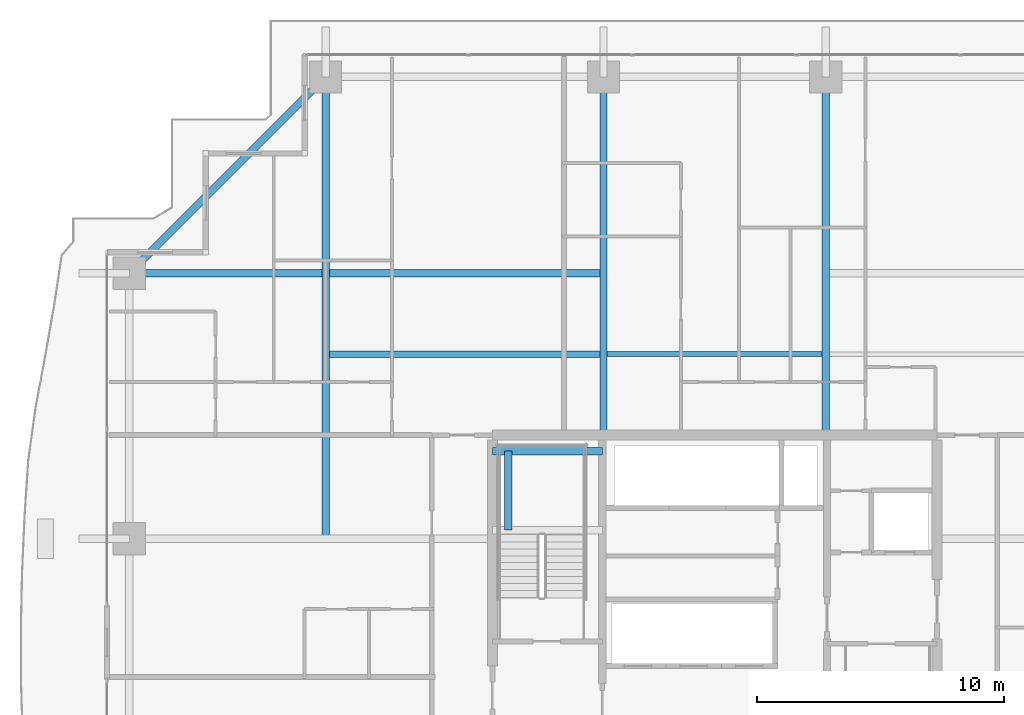
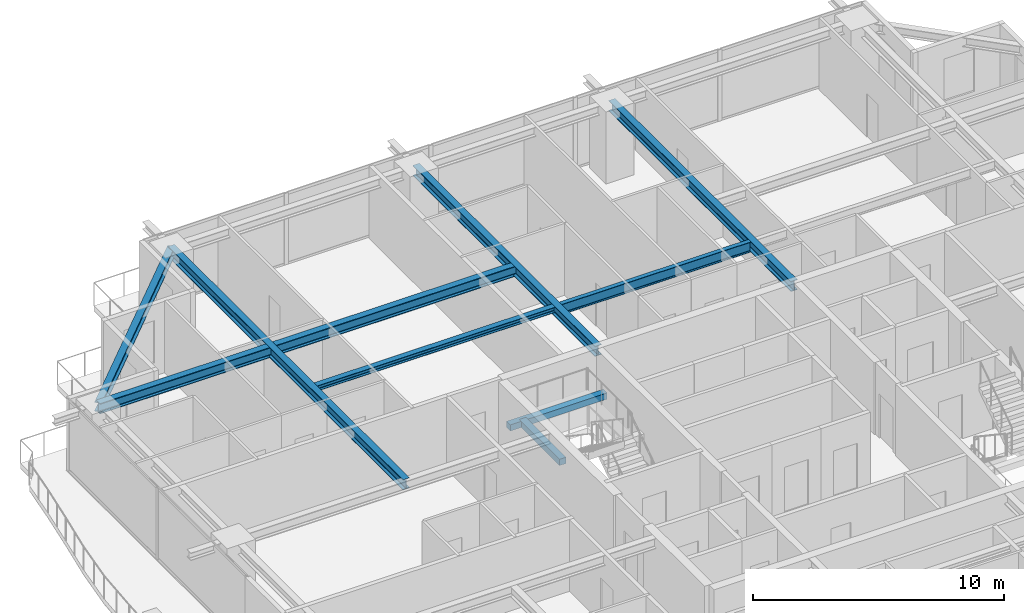
# One storey, part 17 of 35: 9 beams.
"""IFC4 building model written with IfcOpenShell, lengths in metres."""

from ifc_helpers import new_model, si_unit, direction, frame, origin, origin_2d, place, context, subcontext, project, spatial, rectangle, i_section, extrude, source, transform, mapped, material, material_profile, profile_set, type_object, element, save


model = new_model("IFC4")

# Units and contexts
model_context = context("Model", 3, precision=1e-05, world=origin(), true_north=direction((0.0, 1.0)))
body_context = subcontext(model_context, "Body", "Model", "MODEL_VIEW")
ifc_project = project(units=[si_unit("LENGTHUNIT", "METRE"), si_unit("AREAUNIT", "SQUARE_METRE"), si_unit("VOLUMEUNIT", "CUBIC_METRE"), si_unit("PLANEANGLEUNIT", "RADIAN"), si_unit("MASSUNIT", "GRAM", prefix="KILO")], contexts=[model_context])

# Site, building, storey
site_placement = place(None, origin())
site = spatial("IfcSite", under=ifc_project, at=site_placement, CompositionType="ELEMENT")
building_placement = place(site_placement, origin())
building = spatial("IfcBuilding", under=site, at=building_placement, Name="Serunith Strait Residences", CompositionType="ELEMENT")
storey_placement = place(building_placement, frame((0.0, 0.0, 172.64990234375)))
storey = spatial("IfcBuildingStorey", under=building, at=storey_placement, Name="L43", CompositionType="ELEMENT", Elevation=172.64990234375)

# Beams
ifc_material_1 = material(Name="Steel S355J2", Category="steel")
ifc_material_profile_1 = material_profile(ifc_material_1, i_section(OverallWidth=0.199951171875, OverallDepth=0.5, WebThickness=0.01025390625, FlangeThickness=0.01611328125, FilletRadius=0.02099609375, at=origin_2d()), Name="IPE 500")
ifc_profile_set_1 = profile_set([ifc_material_profile_1], Name="Steel S355J2")
beam_type_1 = type_object("IfcBeamType", Name="BM-IPE500", PredefinedType="JOIST", material=ifc_profile_set_1)
shared_shape_1 = source(origin(), body_context, "Body", "SweptSolid", [
    extrude(i_section(OverallWidth=0.199951171875, OverallDepth=0.5, WebThickness=0.01025390625, FlangeThickness=0.01611328125, FilletRadius=0.02099609375, at=origin_2d()), origin(), (0.0, 0.0, 1.0), 8.699951171875),
])
beam_1_placement = place(storey_placement, frame((28.050048828125, 36.875, 3.237060546875), z_axis=(1.0, 0.0, 0.0), x_axis=(0.0, 1.0, 0.0)))
element("IfcBeam", 1, at=beam_1_placement, inside=storey, type_object=beam_type_1, Name="L43 Composite Floor Joist 05", PredefinedType="JOIST", context=body_context, shape_type="MappedRepresentation", body=[
    mapped(shared_shape_1, transform((0.0, 0.0, 0.0), scale=1.0)),
])
ifc_material_profile_2 = material_profile(ifc_material_1, i_section(OverallWidth=0.300048828125, OverallDepth=0.5, WebThickness=0.014404296875, FlangeThickness=0.028076171875, FilletRadius=0.027099609375, at=origin_2d()), Name="HEB 500")
ifc_profile_set_2 = profile_set([ifc_material_profile_2], Name="Steel S355J2")
beam_type_2 = type_object("IfcBeamType", Name="BM-HEB500", PredefinedType="BEAM", material=ifc_profile_set_2)
shared_shape_2 = source(origin(), body_context, "Body", "SweptSolid", [
    extrude(i_section(OverallWidth=0.300048828125, OverallDepth=0.5, WebThickness=0.014404296875, FlangeThickness=0.028076171875, FilletRadius=0.027099609375, at=origin_2d()), origin(), (0.0, 0.0, 1.0), 14.5),
])
for number, where, z_axis, x_axis, name in (
    (2, (27.89990234375, 33.60009765625, 3.237060546875), (0.0, 1.0, 0.0), (-1.0, 0.0, 0.0), "L43 Primary Floor Girder TC-N2"),
    (3, (36.89990234375, 33.60009765625, 3.237060546875), (0.0, 1.0, 0.0), (-1.0, 0.0, 0.0), "L43 Primary Floor Girder TC-N3"),
):
    element("IfcBeam", number, at=place(storey_placement, frame(where, z_axis=z_axis, x_axis=x_axis)), inside=storey, type_object=beam_type_2, Name=name, PredefinedType="BEAM", context=body_context, shape_type="MappedRepresentation", body=[
        mapped(shared_shape_2, transform((0.0, 0.0, 0.0), scale=1.0)),
    ])
shared_shape_3 = source(origin(), body_context, "Body", "SweptSolid", [
    extrude(i_section(OverallWidth=0.300048828125, OverallDepth=0.5, WebThickness=0.014404296875, FlangeThickness=0.028076171875, FilletRadius=0.027099609375, at=origin_2d()), origin(), (0.0, 0.0, 1.0), 18.7001953125),
])
beam_2_placement = place(storey_placement, frame((16.64990234375, 29.39990234375, 3.237060546875), z_axis=(0.0, 1.0, 0.0), x_axis=(-1.0, 0.0, 0.0)))
element("IfcBeam", 4, at=beam_2_placement, inside=storey, type_object=beam_type_2, Name="L43 Orthogonal Corner Girder TC-N1", PredefinedType="BEAM", context=body_context, shape_type="MappedRepresentation", body=[
    mapped(shared_shape_3, transform((0.0, 0.0, 0.0), scale=1.0)),
])
shared_shape_4 = source(origin(), body_context, "Body", "SweptSolid", [
    extrude(i_section(OverallWidth=0.300048828125, OverallDepth=0.5, WebThickness=0.014404296875, FlangeThickness=0.028076171875, FilletRadius=0.027099609375, at=origin_2d()), origin(), (0.0, 0.0, 1.0), 19.199951171875),
])
beam_3_placement = place(storey_placement, frame((27.89990234375, 40.14990234375, 3.237060546875), z_axis=(-1.0, 0.0, 0.0), x_axis=(0.0, -1.0, 0.0)))
element("IfcBeam", 5, at=beam_3_placement, inside=storey, type_object=beam_type_2, Name="L43 Orthogonal Corner Girder TC-W4", PredefinedType="BEAM", context=body_context, shape_type="MappedRepresentation", body=[
    mapped(shared_shape_4, transform((0.0, 0.0, 0.0), scale=1.0)),
])
ifc_material_profile_3 = material_profile(ifc_material_1, i_section(OverallWidth=0.300048828125, OverallDepth=0.449951171875, WebThickness=0.013916015625, FlangeThickness=0.02587890625, FilletRadius=0.027099609375, at=origin_2d()), Name="HEB 450")
ifc_profile_set_3 = profile_set([ifc_material_profile_3], Name="Steel S355J2")
beam_type_3 = type_object("IfcBeamType", Name="BM-HEB450", PredefinedType="BEAM", material=ifc_profile_set_3)
shared_shape_5 = source(origin(), body_context, "Body", "SweptSolid", [
    extrude(i_section(OverallWidth=0.300048828125, OverallDepth=0.449951171875, WebThickness=0.013916015625, FlangeThickness=0.02587890625, FilletRadius=0.027099609375, at=origin_2d()), origin(), (0.0, 0.0, 1.0), 11.2431640625),
])
beam_4_placement = place(storey_placement, frame((16.64990234375, 48.10009765625, 3.232177734375), z_axis=(-0.707095923751, -0.707117638455, 0.0), x_axis=(0.707117638455, -0.707095923751, 0.0)))
element("IfcBeam", 6, at=beam_4_placement, inside=storey, type_object=beam_type_3, Name="L43 Perimeter Ring Beam 12", PredefinedType="BEAM", context=body_context, shape_type="MappedRepresentation", body=[
    mapped(shared_shape_5, transform((0.0, 0.0, 0.0), scale=1.0)),
])
ifc_material_profile_4 = material_profile(ifc_material_1, i_section(OverallWidth=0.260009765625, OverallDepth=0.260009765625, WebThickness=0.010009765625, FlangeThickness=0.017578125, FilletRadius=0.02392578125, at=origin_2d()), Name="HEB 260")
ifc_profile_set_4 = profile_set([ifc_material_profile_4], Name="Steel S355J2")
beam_type_4 = type_object("IfcBeamType", Name="BM-HEB260", PredefinedType="JOIST", material=ifc_profile_set_4)
shared_shape_6 = source(origin(), body_context, "Body", "SweptSolid", [
    extrude(i_section(OverallWidth=0.260009765625, OverallDepth=0.260009765625, WebThickness=0.010009765625, FlangeThickness=0.017578125, FilletRadius=0.02392578125, at=origin_2d()), origin(), (0.0, 0.0, 1.0), 10.949951171875),
])
beam_5_placement = place(storey_placement, frame((16.800048828125, 36.875, 3.357177734375), z_axis=(1.0, 0.0, 0.0), x_axis=(0.0, 1.0, 0.0)))
element("IfcBeam", 7, at=beam_5_placement, inside=storey, type_object=beam_type_4, Name="L43 Composite Floor Joist 04", PredefinedType="JOIST", context=body_context, shape_type="MappedRepresentation", body=[
    mapped(shared_shape_6, transform((0.0, 0.0, 0.0), scale=1.0)),
])
ifc_material_2 = material(Name="Concrete C60/75", Category="concrete")
ifc_material_profile_5 = material_profile(ifc_material_2, rectangle(XDim=0.300048828125, YDim=0.300048828125, at=origin_2d()), Name="RC 300x300")
ifc_profile_set_5 = profile_set([ifc_material_profile_5], Name="Concrete C60/75")
beam_type_5 = type_object("IfcBeamType", Name="BM-LAND-300x300", PredefinedType="BEAM", material=ifc_profile_set_5)
shared_shape_7 = source(origin(), body_context, "Body", "SweptSolid", [
    extrude(rectangle(XDim=0.300048828125, YDim=0.300048828125, at=origin_2d()), origin(), (0.0, 0.0, 1.0), 4.4501953125),
])
beam_6_placement = place(storey_placement, frame((23.39990234375, 32.949951171875, 1.525146484375), z_axis=(1.0, 0.0, 0.0), x_axis=(0.0, 1.0, 0.0)))
element("IfcBeam", 8, at=beam_6_placement, inside=storey, type_object=beam_type_5, Name="L43 ST-1 Landing Support Beam 2", PredefinedType="BEAM", context=body_context, shape_type="MappedRepresentation", body=[
    mapped(shared_shape_7, transform((0.0, 0.0, 0.0), scale=1.0)),
])
shared_shape_8 = source(origin(), body_context, "Body", "SweptSolid", [
    extrude(rectangle(XDim=0.300048828125, YDim=0.300048828125, at=origin_2d()), origin(), (0.0, 0.0, 1.0), 3.199951171875),
])
beam_7_placement = place(storey_placement, frame((24.050048828125, 29.75, 1.525146484375), z_axis=(0.0, 1.0, 0.0), x_axis=(-1.0, 0.0, 0.0)))
element("IfcBeam", 9, at=beam_7_placement, inside=storey, type_object=beam_type_5, Name="L43 ST-1 Landing Transverse Tie Beam", PredefinedType="BEAM", context=body_context, shape_type="MappedRepresentation", body=[
    mapped(shared_shape_8, transform((0.0, 0.0, 0.0), scale=1.0)),
])

save(model, "model.ifc")
